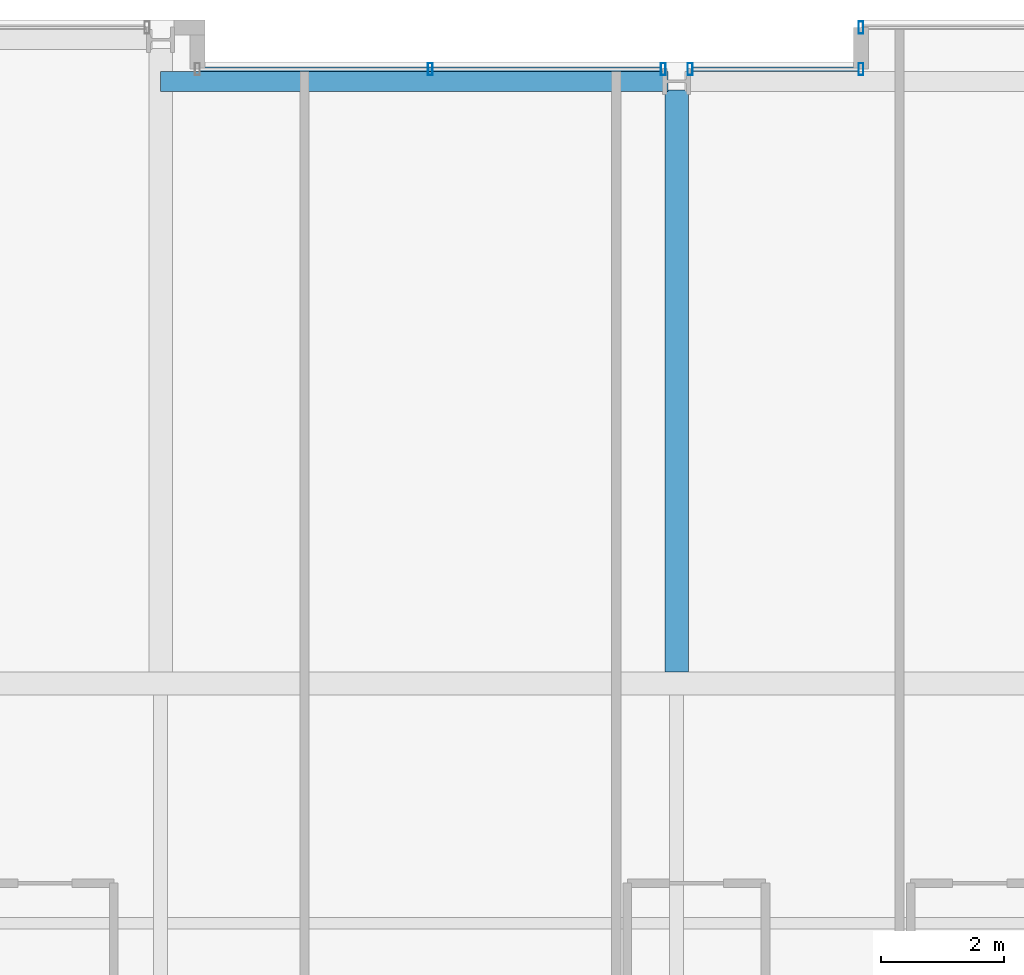
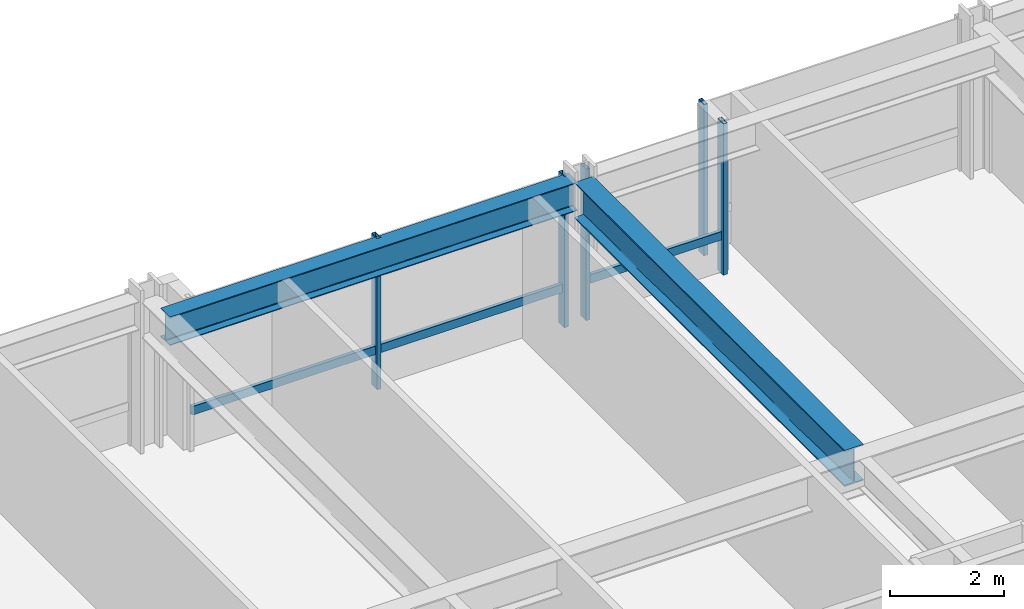
# One storey, part 22 of 35: 7 members, 2 beams, 3 elements without a shape of their own.
"""IFC4 building model written with IfcOpenShell, lengths in metres."""

import ifcopenshell
import ifcopenshell.guid

model = None  # the IFC model being written
_history = None  # IfcOwnerHistory: only IFC2X3 demands one
_inside = {}  # id of a spatial element -> (the spatial element, [elements in it])
_under = {}  # id of a project, library or spatial element -> (it, [spatial elements below it])
_declared = {}  # id of a project -> (the project, [libraries it declares])
_typed = {}  # id of a type object -> (the type object, [elements of that type])
_made_of = {}  # id of a material, layer set ... -> (it, [elements and type objects made of it])


def new_model(schema):
    """Start an empty IFC model of exactly this schema.

    Asked for "IFC4X3", IfcOpenShell would pick the latest addendum, in which some entities
    have other attributes; the version numbers below select the first issue.
    IFC2X3 requires an IfcOwnerHistory on every rooted entity: one is made here for all.
    """
    global model, _history
    if schema == "IFC4X3":
        model = ifcopenshell.file(schema_version=(4, 3, 0, 0))
    else:
        model = ifcopenshell.file(schema=schema)
    _inside.clear()
    _under.clear()
    _declared.clear()
    _typed.clear()
    _made_of.clear()
    _history = None
    if model.schema == "IFC2X3":
        org = make("IfcOrganization", Name="unknown")
        user = make(
            "IfcPersonAndOrganization",
            ThePerson=make("IfcPerson", FamilyName="unknown"),
            TheOrganization=org,
        )
        app = make(
            "IfcApplication",
            ApplicationDeveloper=org,
            Version="unknown",
            ApplicationFullName="unknown",
            ApplicationIdentifier="unknown",
        )
        _history = make(
            "IfcOwnerHistory",
            OwningUser=user,
            OwningApplication=app,
            ChangeAction="ADDED",
            CreationDate=0,
        )
    return model


def make(cls, **values):
    """One entity of the class cls with the attributes given. An attribute that is None is left unset."""
    return model.create_entity(
        cls, **{name: value for name, value in values.items() if value is not None}
    )


def rooted(cls, **values):
    """An entity with a GlobalId (a new one), such as an element, a storey or a relation."""
    return make(cls, GlobalId=ifcopenshell.guid.new(), OwnerHistory=_history, **values)


def si_unit(unit_type, name, prefix=None):
    """IfcSIUnit, for example si_unit("LENGTHUNIT", "METRE", prefix="MILLI")."""
    return make("IfcSIUnit", UnitType=unit_type, Prefix=prefix, Name=name)


def assignment(units):
    """IfcUnitAssignment: the units of a project."""
    return None if units is None else make("IfcUnitAssignment", Units=units)


def point(xyz):
    """IfcCartesianPoint."""
    return None if xyz is None else make("IfcCartesianPoint", Coordinates=xyz)


def direction(xyz):
    """IfcDirection."""
    return None if xyz is None else make("IfcDirection", DirectionRatios=xyz)


def frame(location, z_axis=None, x_axis=None):
    """IfcAxis2Placement3D, a coordinate frame: its origin and axes. An axis left out is left unset."""
    return make(
        "IfcAxis2Placement3D",
        Location=point(location),
        Axis=direction(z_axis),
        RefDirection=direction(x_axis),
    )


def frame_2d(location, x_axis=None):
    """IfcAxis2Placement2D, a coordinate frame in the plane: its origin and x axis."""
    return make(
        "IfcAxis2Placement2D", Location=point(location), RefDirection=direction(x_axis)
    )


def origin():
    """The frame at (0, 0, 0) with its axes left unset."""
    return frame((0.0, 0.0, 0.0))


def origin_2d():
    """The frame at (0, 0) in the plane with its x axis left unset."""
    return frame_2d((0.0, 0.0))


def place(relative_to, where):
    """IfcLocalPlacement: puts the frame where relative to a parent placement (None: the world)."""
    return make(
        "IfcLocalPlacement", PlacementRelTo=relative_to, RelativePlacement=where
    )


def context(
    kind, dimensions, precision=None, world=None, true_north=None, identifier=None
):
    """IfcGeometricRepresentationContext, for example the 3D "Model" context."""
    return make(
        "IfcGeometricRepresentationContext",
        ContextIdentifier=identifier,
        ContextType=kind,
        CoordinateSpaceDimension=dimensions,
        Precision=precision,
        WorldCoordinateSystem=world,
        TrueNorth=true_north,
    )


def subcontext(parent, identifier, kind, view, scale=None):
    """IfcGeometricRepresentationSubContext, for example "Body" below "Model"."""
    return make(
        "IfcGeometricRepresentationSubContext",
        ContextIdentifier=identifier,
        ContextType=kind,
        ParentContext=parent,
        TargetScale=scale,
        TargetView=view,
    )


def project(units=None, contexts=None):
    """IfcProject with its units and contexts."""
    return rooted(
        "IfcProject",
        Name="project",
        RepresentationContexts=contexts,
        UnitsInContext=assignment(units),
    )


def spatial(cls, under=None, at=None, **own):
    """A site, building, storey or space (cls), placed at a placement, below another one or the project."""
    s = rooted(cls, ObjectPlacement=at, **own)
    if under is not None:
        _under.setdefault(under.id(), (under, []))[1].append(s)
    return s


def profile(cls, at=None, kind="AREA", **sizes):
    """A parametric profile (cls). Its sizes go by their IFC names, for example OverallWidth=200.0."""
    return make(cls, ProfileType=kind, Position=at, **sizes)


def hollow_rectangle(**sizes):
    """IfcRectangleHollowProfileDef."""
    return profile("IfcRectangleHollowProfileDef", **sizes)


def i_section(**sizes):
    """IfcIShapeProfileDef."""
    return profile("IfcIShapeProfileDef", **sizes)


def extrude(swept, where, along, depth):
    """IfcExtrudedAreaSolid: the profile swept, set in the frame where, extruded along a direction by depth."""
    return make(
        "IfcExtrudedAreaSolid",
        SweptArea=swept,
        Position=where,
        ExtrudedDirection=direction(along),
        Depth=depth,
    )


def shape(context_of_items, identifier, shape_type, items):
    """IfcShapeRepresentation: the items that make up one representation, for example the "Body"."""
    return make(
        "IfcShapeRepresentation",
        ContextOfItems=context_of_items,
        RepresentationIdentifier=identifier,
        RepresentationType=shape_type,
        Items=items,
    )


def material(Name=None, Category=None):
    """IfcMaterial."""
    return make("IfcMaterial", Name=Name, Category=Category)


def layer(
    of_material, thickness, ventilated=None, Name=None, Category=None, Priority=None
):
    """IfcMaterialLayer: one layer of a wall or slab, of a material (None: an air gap)."""
    return make(
        "IfcMaterialLayer",
        Material=of_material,
        LayerThickness=thickness,
        IsVentilated=ventilated,
        Name=Name,
        Category=Category,
        Priority=Priority,
    )


def layer_set(layers, Name=None):
    """IfcMaterialLayerSet."""
    return make("IfcMaterialLayerSet", MaterialLayers=layers, LayerSetName=Name)


def material_profile(
    of_material, cross_section, Name=None, Category=None, Priority=None
):
    """IfcMaterialProfile: a cross section and its material."""
    return make(
        "IfcMaterialProfile",
        Name=Name,
        Material=of_material,
        Profile=cross_section,
        Priority=Priority,
        Category=Category,
    )


def profile_set(profiles, Name=None, composite=None):
    """IfcMaterialProfileSet."""
    return make(
        "IfcMaterialProfileSet",
        Name=Name,
        MaterialProfiles=profiles,
        CompositeProfile=composite,
    )


def made_of(thing, what):
    """Note that an element or type object is made of a material, layer set ...; save() writes the relation."""
    if what is not None:
        _made_of.setdefault(what.id(), (what, []))[1].append(thing)
    return thing


def type_object(cls, material=None, **own):
    """A type object (cls), such as IfcWallType, which elements share."""
    return made_of(rooted(cls, **own), material)


def element(
    cls,
    number,
    at=None,
    inside=None,
    cuts=None,
    type_object=None,
    material=None,
    context=None,
    identifier="Body",
    shape_type=None,
    held_by="IfcProductDefinitionShape",
    body=None,
    shapes=None,
    **own,
):
    """One element of the class cls, such as IfcWall. Its Tag is "e" and its number.

    at: its placement. inside: the storey or other place that contains it. cuts: it is an
    opening in that element (IfcRelVoidsElement). A single representation is given by context,
    identifier, shape_type and body (its items); several are given by shapes. held_by: the class
    of the entity that holds the representations. save() writes the other relations.
    """
    e = rooted(cls, Tag="e%d" % number, ObjectPlacement=at, **own)
    if body is not None:
        shapes = [shape(context, identifier, shape_type, body)]
    if shapes is not None:
        e.Representation = make(held_by, Representations=shapes)
    if inside is not None:
        _inside.setdefault(inside.id(), (inside, []))[1].append(e)
    if cuts is not None:
        rooted(
            "IfcRelVoidsElement", RelatingBuildingElement=cuts, RelatedOpeningElement=e
        )
    if type_object is not None:
        _typed.setdefault(type_object.id(), (type_object, []))[1].append(e)
    return made_of(e, material)


def aggregate(whole, parts):
    """IfcRelAggregates: a whole, such as a stair, and the parts it consists of."""
    return rooted("IfcRelAggregates", RelatingObject=whole, RelatedObjects=parts)


def save(model, path):
    """Write the relations noted so far, then the file.

    IfcRelAggregates (storeys below a building ...), IfcRelContainedInSpatialStructure (elements
    in a storey), IfcRelDefinesByType, IfcRelAssociatesMaterial and IfcRelDeclares: one each for
    every whole, place, type object, material and project.
    """
    for whole, parts in _under.values():
        aggregate(whole, parts)
    for where, things in _inside.values():
        rooted(
            "IfcRelContainedInSpatialStructure",
            RelatedElements=things,
            RelatingStructure=where,
        )
    for kind, things in _typed.values():
        rooted("IfcRelDefinesByType", RelatedObjects=things, RelatingType=kind)
    for what, things in _made_of.values():
        rooted("IfcRelAssociatesMaterial", RelatedObjects=things, RelatingMaterial=what)
    for by, libraries in _declared.values():
        rooted("IfcRelDeclares", RelatingContext=by, RelatedDefinitions=libraries)
    model.write(path)


model = new_model("IFC4")

# Units and contexts
model_context = context("Model", 3, precision=1e-05, world=origin(), true_north=direction((0.0, 1.0)))
body_context = subcontext(model_context, "Body", "Model", "MODEL_VIEW")
ifc_project = project(units=[si_unit("LENGTHUNIT", "METRE"), si_unit("AREAUNIT", "SQUARE_METRE"), si_unit("VOLUMEUNIT", "CUBIC_METRE"), si_unit("PLANEANGLEUNIT", "RADIAN"), si_unit("MASSUNIT", "GRAM", prefix="KILO")], contexts=[model_context])

# Site, building, storey
site_placement = place(None, origin())
site = spatial("IfcSite", under=ifc_project, at=site_placement, CompositionType="ELEMENT")
building_placement = place(site_placement, origin())
building = spatial("IfcBuilding", under=site, at=building_placement, Name="Drelvath Grand Hotel", CompositionType="ELEMENT")
storey_placement = place(building_placement, frame((0.0, 0.0, 98.800048828125)))
storey = spatial("IfcBuildingStorey", under=building, at=storey_placement, Name="L24", CompositionType="ELEMENT", Elevation=98.800048828125)

# Curtain wall, member
ifc_material_1 = material(Name="Champagne Bronze Anodised Aluminium Frame", Category="aluminium")
ifc_layer = layer(ifc_material_1, 0.199951171875)
ifc_layer_set = layer_set([ifc_layer], Name="Champagne Bronze Anodised Aluminium Frame")
curtain_wall_type = type_object("IfcCurtainWallType", Name="Stick Curtain Wall CW-03 Champagne Bronze Mid-Rise", PredefinedType="NOTDEFINED", material=ifc_layer_set)
curtain_wall_1_placement = place(storey_placement, origin())
curtain_wall_1 = element("IfcCurtainWall", 1, at=curtain_wall_1_placement, inside=storey, type_object=curtain_wall_type, Name="L24 CW-03 Curtain Wall CW03-L24-NM1", PredefinedType="NOTDEFINED")
ifc_material_profile_1 = material_profile(ifc_material_1, hollow_rectangle(XDim=0.074951171875, YDim=0.179931640625, WallThickness=0.0048828125, at=origin_2d()), Name="HSS180X75X5")
ifc_profile_set_1 = profile_set([ifc_material_profile_1], Name="Champagne Bronze Anodised Aluminium Frame")
member_type_1 = type_object("IfcMemberType", Name="Curtain Wall Horizontal Transom CW-03 HSS180X75X5", PredefinedType="USERDEFINED", material=ifc_profile_set_1)
member_1_placement = place(storey_placement, frame((-7.760009765625, 53.199951171875, 0.81005859375), z_axis=(1.0, 0.0, 0.0), x_axis=(0.0, 1.0, 0.0)))
member_1 = element("IfcMember", 2, at=member_1_placement, type_object=member_type_1, Name="CW03-L24-NM1 Sill Transom", ObjectType="TRANSOM", PredefinedType="USERDEFINED", context=body_context, shape_type="SweptSolid", body=[
    extrude(hollow_rectangle(XDim=0.074951171875, YDim=0.179931640625, WallThickness=0.0048828125, at=origin_2d()), origin(), (0.0, 0.0, 1.0), 7.50048828125),
])

curtain_wall_2_placement = place(storey_placement, origin())
curtain_wall_2 = element("IfcCurtainWall", 3, at=curtain_wall_2_placement, inside=storey, type_object=curtain_wall_type, Name="L24 CW-03 Curtain Wall CW03-L24-NM2", PredefinedType="NOTDEFINED")
member_2_placement = place(storey_placement, frame((0.259521484375, 53.199951171875, 0.81005859375), z_axis=(1.0, 0.0, 0.0), x_axis=(0.0, 1.0, 0.0)))
member_2 = element("IfcMember", 4, at=member_2_placement, type_object=member_type_1, Name="CW03-L24-NM2 Sill Transom", ObjectType="TRANSOM", PredefinedType="USERDEFINED", context=body_context, shape_type="SweptSolid", body=[
    extrude(hollow_rectangle(XDim=0.074951171875, YDim=0.179931640625, WallThickness=0.0048828125, at=origin_2d()), origin(), (0.0, 0.0, 1.0), 2.700439453125),
])

# Member
ifc_material_profile_2 = material_profile(ifc_material_1, hollow_rectangle(XDim=0.080078125, YDim=0.199951171875, WallThickness=0.0048828125, at=origin_2d()), Name="HSS200X80X5")
ifc_profile_set_2 = profile_set([ifc_material_profile_2], Name="Champagne Bronze Anodised Aluminium Frame")
member_type_2 = type_object("IfcMemberType", Name="Curtain Wall Vertical Mullion CW-03 HSS200X80X5", PredefinedType="MULLION", material=ifc_profile_set_2)
member_3_placement = place(storey_placement, frame((-4.009765625, 53.199951171875, 0.0), z_axis=(0.0, 0.0, 1.0), x_axis=(1.0, 0.0, 0.0)))
member_3 = element("IfcMember", 5, at=member_3_placement, type_object=member_type_2, Name="CW03-L24-NM1 Mullion 2", PredefinedType="MULLION", context=body_context, shape_type="SweptSolid", body=[
    extrude(hollow_rectangle(XDim=0.080078125, YDim=0.199951171875, WallThickness=0.0048828125, at=origin_2d()), origin(), (0.0, 0.0, 1.0), 3.239990234375),
])

member_4_placement = place(storey_placement, frame((-0.219482421875, 53.199951171875, 0.0), z_axis=(0.0, 0.0, 1.0), x_axis=(1.0, 0.0, 0.0)))
member_4 = element("IfcMember", 6, at=member_4_placement, type_object=member_type_2, Name="CW03-L24-NM1 Mullion 3", PredefinedType="MULLION", context=body_context, shape_type="SweptSolid", body=[
    extrude(hollow_rectangle(XDim=0.080078125, YDim=0.199951171875, WallThickness=0.0048828125, at=origin_2d()), origin(), (0.0, 0.0, 1.0), 3.239990234375),
])

aggregate(curtain_wall_1, [member_3, member_4, member_1])

member_5_placement = place(storey_placement, frame((0.219482421875, 53.199951171875, 0.0), z_axis=(0.0, 0.0, 1.0), x_axis=(1.0, 0.0, 0.0)))
member_5 = element("IfcMember", 7, at=member_5_placement, type_object=member_type_2, Name="CW03-L24-NM2 Mullion 1", PredefinedType="MULLION", context=body_context, shape_type="SweptSolid", body=[
    extrude(hollow_rectangle(XDim=0.080078125, YDim=0.199951171875, WallThickness=0.0048828125, at=origin_2d()), origin(), (0.0, 0.0, 1.0), 3.239990234375),
])

member_6_placement = place(storey_placement, frame((3.0, 53.199951171875, 0.0), z_axis=(0.0, 0.0, 1.0), x_axis=(1.0, 0.0, 0.0)))
member_6 = element("IfcMember", 8, at=member_6_placement, type_object=member_type_2, Name="CW03-L24-NM2 Mullion 2", PredefinedType="MULLION", context=body_context, shape_type="SweptSolid", body=[
    extrude(hollow_rectangle(XDim=0.080078125, YDim=0.199951171875, WallThickness=0.0048828125, at=origin_2d()), origin(), (0.0, 0.0, 1.0), 3.239990234375),
])

aggregate(curtain_wall_2, [member_5, member_6, member_2])

# Curtain wall, member
curtain_wall_3_placement = place(storey_placement, origin())
curtain_wall_3 = element("IfcCurtainWall", 9, at=curtain_wall_3_placement, inside=storey, type_object=curtain_wall_type, Name="L24 CW-03 Curtain Wall CW03-L24-NE1", PredefinedType="NOTDEFINED")
member_7_placement = place(storey_placement, frame((3.0, 53.8798828125, 0.0), z_axis=(0.0, 0.0, 1.0), x_axis=(1.0, 0.0, 0.0)))
member_7 = element("IfcMember", 10, at=member_7_placement, type_object=member_type_2, Name="CW03-L24-NE1 Mullion 1", PredefinedType="MULLION", context=body_context, shape_type="SweptSolid", body=[
    extrude(hollow_rectangle(XDim=0.080078125, YDim=0.199951171875, WallThickness=0.0048828125, at=origin_2d()), origin(), (0.0, 0.0, 1.0), 3.239990234375),
])
aggregate(curtain_wall_3, [member_7])

# Beams
ifc_material_2 = material(Name="Steel ASTM A992 Gr 50", Category="steel")
ifc_material_profile_3 = material_profile(ifc_material_2, i_section(OverallWidth=0.323974609375, OverallDepth=0.611083984375, WebThickness=0.0126953125, FlangeThickness=0.01904296875, FilletRadius=0.02197265625, at=origin_2d()), Name="W24X104")
ifc_profile_set_3 = profile_set([ifc_material_profile_3], Name="Steel ASTM A992 Gr 50")
beam_type_1 = type_object("IfcBeamType", Name="Perimeter Spandrel Beam W24X104", PredefinedType="SPANDREL", material=ifc_profile_set_3)
beam_1_placement = place(storey_placement, frame((-8.39990234375, 53.0, 2.9345703125), z_axis=(1.0, 0.0, 0.0), x_axis=(0.0, 1.0, 0.0)))
element("IfcBeam", 11, at=beam_1_placement, inside=storey, type_object=beam_type_1, Name="L24 Spandrel North Mid W", PredefinedType="SPANDREL", context=body_context, shape_type="SweptSolid", body=[
    extrude(i_section(OverallWidth=0.323974609375, OverallDepth=0.611083984375, WebThickness=0.0126953125, FlangeThickness=0.01904296875, FilletRadius=0.02197265625, at=origin_2d()), origin(), (0.0, 0.0, 1.0), 8.260009765625),
])
ifc_material_profile_4 = material_profile(ifc_material_2, i_section(OverallWidth=0.380615234375, OverallDepth=0.773193359375, WebThickness=0.0166015625, FlangeThickness=0.027099609375, FilletRadius=0.02490234375, at=origin_2d()), Name="W30X173")
ifc_profile_set_4 = profile_set([ifc_material_profile_4], Name="Steel ASTM A992 Gr 50")
beam_type_2 = type_object("IfcBeamType", Name="Primary Floor Girder W30X173", PredefinedType="BEAM", material=ifc_profile_set_4)
beam_2_placement = place(storey_placement, frame((0.0, 43.390380859375, 2.853271484375), z_axis=(0.0, 1.0, 0.0), x_axis=(-1.0, 0.0, 0.0)))
element("IfcBeam", 12, at=beam_2_placement, inside=storey, type_object=beam_type_2, Name="L24 North Wing Girder 5", PredefinedType="BEAM", context=body_context, shape_type="SweptSolid", body=[
    extrude(i_section(OverallWidth=0.380615234375, OverallDepth=0.773193359375, WebThickness=0.0166015625, FlangeThickness=0.027099609375, FilletRadius=0.02490234375, at=origin_2d()), origin(), (0.0, 0.0, 1.0), 9.4697265625),
])

save(model, "model.ifc")
